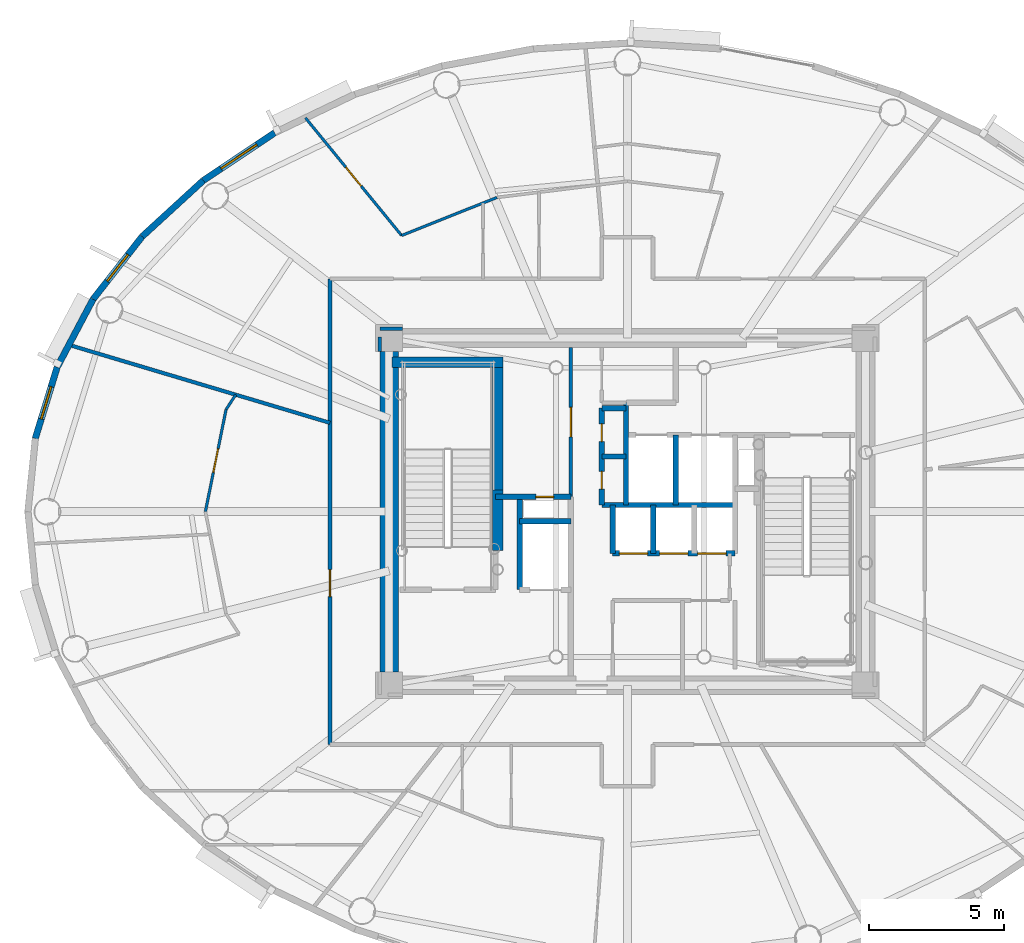
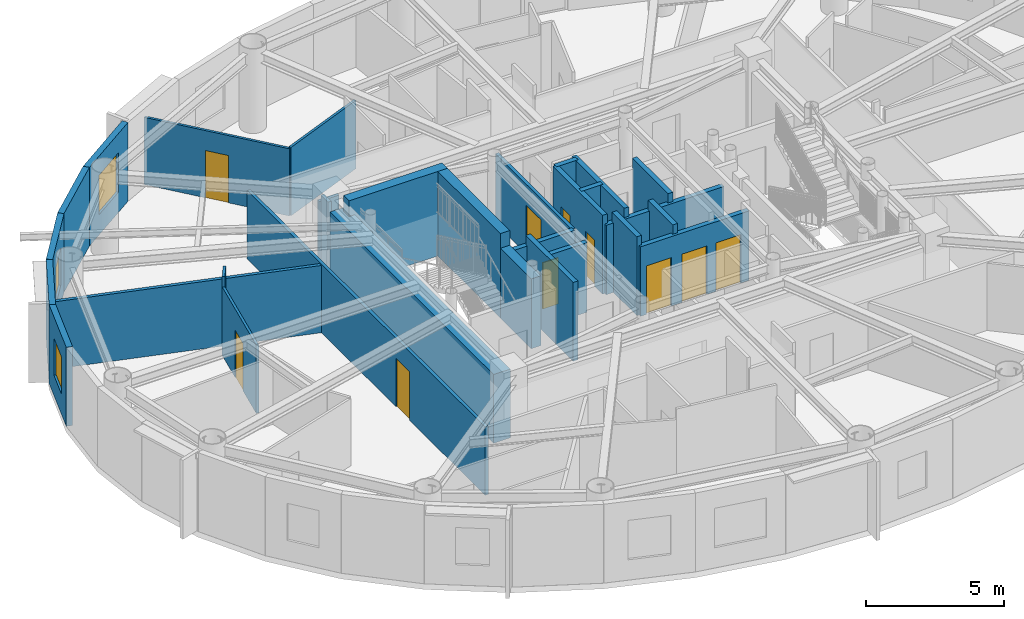
# One storey, part 7 of 17: 30 walls, 10 doors, 3 windows, 13 openings.
"""IFC4 building model written with IfcOpenShell, lengths in metres."""

from ifc_helpers import new_model, si_unit, direction, frame, frame_2d, origin, origin_2d, place, context, subcontext, project, spatial, rectangle, extrude, source, transform, mapped, material, layer, layer_set, type_object, element, fill, save


model = new_model("IFC4")

# Units and contexts
model_context = context("Model", 3, precision=1e-05, world=origin(), true_north=direction((0.0, 1.0)))
body_context = subcontext(model_context, "Body", "Model", "MODEL_VIEW")
ifc_project = project(units=[si_unit("LENGTHUNIT", "METRE"), si_unit("AREAUNIT", "SQUARE_METRE"), si_unit("VOLUMEUNIT", "CUBIC_METRE"), si_unit("PLANEANGLEUNIT", "RADIAN"), si_unit("MASSUNIT", "GRAM", prefix="KILO")], contexts=[model_context])

# Site, building, storey
site_placement = place(None, origin())
site = spatial("IfcSite", under=ifc_project, at=site_placement, CompositionType="ELEMENT")
building_placement = place(site_placement, origin())
building = spatial("IfcBuilding", under=site, at=building_placement, Name="Linh Dai School and Residence Tower", CompositionType="ELEMENT")
storey_placement = place(building_placement, frame((0.0, 0.0, 280.5)))
storey = spatial("IfcBuildingStorey", under=building, at=storey_placement, Name="L69", CompositionType="ELEMENT", Elevation=280.5)

# Wall, opening, window
ifc_material_1 = material(Name="Precast Concrete B45 (C35/45)", Category="concrete")
ifc_layer_1 = layer(ifc_material_1, 0.239990234375)
ifc_layer_set_1 = layer_set([ifc_layer_1], Name="Precast Concrete B45 (C35/45)")
wall_type_1 = type_object("IfcWallType", Name="EW-TC-240", PredefinedType="SOLIDWALL", material=ifc_layer_set_1)
wall_1_placement = place(storey_placement, frame((20.23779296875, 39.30419921875, 0.0), z_axis=(0.0, 0.0, 1.0), x_axis=(0.831250592635, 0.55589787933, 0.0)))
wall_1 = element("IfcWall", 1, at=wall_1_placement, inside=storey, type_object=wall_type_1, Name="L69 Terracotta Exterior Wall 15", PredefinedType="SOLIDWALL", context=body_context, shape_type="SweptSolid", body=[
    extrude(rectangle(XDim=3.197265625, YDim=0.239990234375, at=frame_2d((1.5986328125, 0.0))), origin(), (0.0, 0.0, 1.0), 3.5),
])
opening_1_placement = place(wall_1_placement, frame((0.798583984375, 0.0, 0.89990234375)))
opening_1 = element("IfcOpeningElement", 2, at=opening_1_placement, cuts=wall_1, Name="Opening W2", PredefinedType="OPENING", context=body_context, shape_type="SweptSolid", body=[
    extrude(rectangle(XDim=1.60009765625, YDim=1.75, at=origin_2d()), frame((0.800048828125, 0.1298828125, 0.875), z_axis=(0.0, -1.0, 0.0), x_axis=(1.0, 0.0, 0.0)), (0.0, 0.0, 1.0), 0.260009765625),
])
ifc_material_2 = material(Name="Double Low-E Insulated Glazing", Category="glass")
window_type_1 = type_object("IfcWindowType", Name="WN-RES-1600x1750", PartitioningType="DOUBLE_PANEL_VERTICAL", PredefinedType="WINDOW", material=ifc_material_2)
shared_shape_1 = source(origin(), body_context, "Body", "SweptSolid", [
    extrude(rectangle(XDim=1.60009765625, YDim=1.75, at=origin_2d()), frame((0.800048828125, 0.030029296875, 0.875), z_axis=(0.0, -1.0, 0.0), x_axis=(1.0, 0.0, 0.0)), (0.0, 0.0, 1.0), 0.06005859375),
])
window_1_placement = place(opening_1_placement, origin())
window_1 = element("IfcWindow", 3, at=window_1_placement, inside=storey, type_object=window_type_1, Name="L69 Exterior Window 15.1", OverallHeight=1.75, OverallWidth=1.60009765625, PartitioningType="DOUBLE_PANEL_VERTICAL", PredefinedType="WINDOW", context=body_context, shape_type="MappedRepresentation", body=[
    mapped(shared_shape_1, transform((0.0, 0.0, 0.0), x_axis=(1.0, 0.0, 0.0), y_axis=(0.0, 1.0, 0.0), z_axis=(0.0, 0.0, 1.0), scale=1.0)),
])
fill(opening_1, window_1)

# Wall
wall_2_placement = place(storey_placement, frame((17.9697265625, 37.224609375, 0.0), z_axis=(0.0, 0.0, 1.0), x_axis=(0.737068506972, 0.675818034703, 0.0)))
element("IfcWall", 4, at=wall_2_placement, inside=storey, type_object=wall_type_1, Name="L69 Terracotta Exterior Wall 16", PredefinedType="SOLIDWALL", context=body_context, shape_type="SweptSolid", body=[
    extrude(rectangle(XDim=3.0771484375, YDim=0.239990234375, at=frame_2d((1.53857421875, 0.0))), origin(), (0.0, 0.0, 1.0), 3.5),
])

# Wall, opening, window
wall_3_placement = place(storey_placement, frame((16.146240234375, 34.894775390625, 0.0), z_axis=(0.0, 0.0, 1.0), x_axis=(0.616337186556, 0.787482363275, 0.0)))
wall_3 = element("IfcWall", 5, at=wall_3_placement, inside=storey, type_object=wall_type_1, Name="L69 Terracotta Exterior Wall 17", PredefinedType="SOLIDWALL", context=body_context, shape_type="SweptSolid", body=[
    extrude(rectangle(XDim=2.95849609375, YDim=0.239990234375, at=frame_2d((1.479248046875, 0.0))), origin(), (0.0, 0.0, 1.0), 3.5),
])
opening_2_placement = place(wall_3_placement, frame((0.8544921875, 0.0, 0.89990234375)))
opening_2 = element("IfcOpeningElement", 6, at=opening_2_placement, cuts=wall_3, Name="Opening W3", PredefinedType="OPENING", context=body_context, shape_type="SweptSolid", body=[
    extrude(rectangle(XDim=1.25, YDim=1.64990234375, at=origin_2d()), frame((0.625, 0.1298828125, 0.824951171875), z_axis=(0.0, -1.0, 0.0), x_axis=(1.0, 0.0, 0.0)), (0.0, 0.0, 1.0), 0.260009765625),
])
window_type_2 = type_object("IfcWindowType", Name="WN-RES-1250x1650", PartitioningType="SINGLE_PANEL", PredefinedType="WINDOW", material=ifc_material_2)
shared_shape_2 = source(origin(), body_context, "Body", "SweptSolid", [
    extrude(rectangle(XDim=1.25, YDim=1.64990234375, at=origin_2d()), frame((0.625, 0.030029296875, 0.824951171875), z_axis=(0.0, -1.0, 0.0), x_axis=(1.0, 0.0, 0.0)), (0.0, 0.0, 1.0), 0.06005859375),
])
window_2_placement = place(opening_2_placement, origin())
window_2 = element("IfcWindow", 7, at=window_2_placement, inside=storey, type_object=window_type_2, Name="L69 Exterior Window 17.1", OverallHeight=1.64990234375, OverallWidth=1.25, PartitioningType="SINGLE_PANEL", PredefinedType="WINDOW", context=body_context, shape_type="MappedRepresentation", body=[
    mapped(shared_shape_2, transform((0.0, 0.0, 0.0), x_axis=(1.0, 0.0, 0.0), y_axis=(0.0, 1.0, 0.0), z_axis=(0.0, 0.0, 1.0), scale=1.0)),
])
fill(opening_2, window_2)

# Wall
wall_4_placement = place(storey_placement, frame((14.811767578125, 32.372314453125, 0.0), z_axis=(0.0, 0.0, 1.0), x_axis=(0.467628269026, 0.883925224218, 0.0)))
element("IfcWall", 8, at=wall_4_placement, inside=storey, type_object=wall_type_1, Name="L69 Terracotta Exterior Wall 18", PredefinedType="SOLIDWALL", context=body_context, shape_type="SweptSolid", body=[
    extrude(rectangle(XDim=2.853759765625, YDim=0.239990234375, at=frame_2d((1.4267578125, 0.0))), origin(), (0.0, 0.0, 1.0), 3.5),
])

# Wall, opening, window
wall_5_placement = place(storey_placement, frame((13.998291015625, 29.718994140625, 0.0), z_axis=(0.0, 0.0, 1.0), x_axis=(0.2931213403, 0.956075248012, 0.0)))
wall_5 = element("IfcWall", 9, at=wall_5_placement, inside=storey, type_object=wall_type_1, Name="L69 Terracotta Exterior Wall 19", PredefinedType="SOLIDWALL", context=body_context, shape_type="SweptSolid", body=[
    extrude(rectangle(XDim=2.775146484375, YDim=0.239990234375, at=frame_2d((1.3876953125, 0.0))), origin(), (0.0, 0.0, 1.0), 3.5),
])
opening_3_placement = place(wall_5_placement, frame((0.7626953125, 0.0, 0.89990234375)))
opening_3 = element("IfcOpeningElement", 10, at=opening_3_placement, cuts=wall_5, Name="Opening W3", PredefinedType="OPENING", context=body_context, shape_type="SweptSolid", body=[
    extrude(rectangle(XDim=1.25, YDim=1.64990234375, at=origin_2d()), frame((0.625, 0.1298828125, 0.824951171875), z_axis=(0.0, -1.0, 0.0), x_axis=(1.0, 0.0, 0.0)), (0.0, 0.0, 1.0), 0.260009765625),
])
window_3_placement = place(opening_3_placement, origin())
window_3 = element("IfcWindow", 11, at=window_3_placement, inside=storey, type_object=window_type_2, Name="L69 Exterior Window 19.1", OverallHeight=1.64990234375, OverallWidth=1.25, PartitioningType="SINGLE_PANEL", PredefinedType="WINDOW", context=body_context, shape_type="MappedRepresentation", body=[
    mapped(shared_shape_2, transform((0.0, 0.0, 0.0), x_axis=(1.0, 0.0, 0.0), y_axis=(0.0, 1.0, 0.0), z_axis=(0.0, 0.0, 1.0), scale=1.0)),
])
fill(opening_3, window_3)

# Wall
ifc_material_3 = material(Name="Autoclaved Aerated Concrete Blockwork", Category="masonry")
ifc_layer_2 = layer(ifc_material_3, 0.135009765625)
ifc_layer_set_2 = layer_set([ifc_layer_2], Name="Autoclaved Aerated Concrete Blockwork")
wall_type_2 = type_object("IfcWallType", Name="IW-CORR-135-EI90", PredefinedType="PARTITIONING", material=ifc_layer_set_2)
wall_6_placement = place(storey_placement, frame((15.244140625, 33.199951171875, 0.0), z_axis=(0.0, 0.0, 1.0), x_axis=(0.958167234785, -0.286208927508, 0.0)))
element("IfcWall", 12, at=wall_6_placement, inside=storey, type_object=wall_type_2, Name="L69 Interior Partition Wall 002", PredefinedType="PARTITIONING", context=body_context, shape_type="SweptSolid", body=[
    extrude(rectangle(XDim=10.129638671875, YDim=0.135009765625, at=frame_2d((5.06494140625, 0.0))), origin(), (0.0, 0.0, 1.0), 2.985107421875),
])

# Wall, opening, door
wall_7_placement = place(storey_placement, frame((24.949951171875, 18.35009765625, 0.0), z_axis=(0.0, 0.0, 1.0), x_axis=(0.0, 1.0, 0.0)))
wall_7 = element("IfcWall", 13, at=wall_7_placement, inside=storey, type_object=wall_type_2, Name="L69 Interior Partition Wall 013", PredefinedType="PARTITIONING", context=body_context, shape_type="SweptSolid", body=[
    extrude(rectangle(XDim=17.2998046875, YDim=0.135009765625, at=frame_2d((8.64990234375, 0.0))), origin(), (0.0, 0.0, 1.0), 3.034912109375),
])
opening_4_placement = place(wall_7_placement, frame((5.495361328125, 0.0, 0.0)))
opening_4 = element("IfcOpeningElement", 14, at=opening_4_placement, cuts=wall_7, Name="Opening D03", PredefinedType="OPENING", context=body_context, shape_type="SweptSolid", body=[
    extrude(rectangle(XDim=1.0, YDim=2.14990234375, at=origin_2d()), frame((0.5, 0.07763671875, 1.074951171875), z_axis=(0.0, -1.0, 0.0), x_axis=(1.0, 0.0, 0.0)), (0.0, 0.0, 1.0), 0.155029296875),
])
ifc_material_4 = material(Name="Fire-Rated Solid Timber Entrance Door", Category="wood")
door_type_1 = type_object("IfcDoorType", Name="DR-FLAT-1000x2150-FD60S", OperationType="NOTDEFINED", PredefinedType="DOOR", material=ifc_material_4)
shared_shape_3 = source(origin(), body_context, "Body", "SweptSolid", [
    extrude(rectangle(XDim=1.0, YDim=2.14990234375, at=origin_2d()), frame((0.5, 0.02490234375, 1.074951171875), z_axis=(0.0, -1.0, 0.0), x_axis=(1.0, 0.0, 0.0)), (0.0, 0.0, 1.0), 0.050048828125),
])
door_1_placement = place(opening_4_placement, origin())
door_1 = element("IfcDoor", 15, at=door_1_placement, inside=storey, type_object=door_type_1, Name="L69 U6904 Apartment Entrance Door", OperationType="SINGLE_SWING_LEFT", OverallHeight=2.14990234375, OverallWidth=1.0, PredefinedType="DOOR", context=body_context, shape_type="MappedRepresentation", body=[
    mapped(shared_shape_3, transform((0.0, 0.0, 0.0), x_axis=(1.0, 0.0, 0.0), y_axis=(0.0, 1.0, 0.0), z_axis=(0.0, 0.0, 1.0), scale=1.0)),
])
fill(opening_4, door_1)

wall_8_placement = place(storey_placement, frame((33.89990234375, 27.56005859375, 0.0), z_axis=(0.0, 0.0, 1.0), x_axis=(0.0, 1.0, 0.0)))
wall_8 = element("IfcWall", 16, at=wall_8_placement, inside=storey, type_object=wall_type_2, Name="L69 Interior Partition Wall 031", PredefinedType="PARTITIONING", context=body_context, shape_type="SweptSolid", body=[
    extrude(rectangle(XDim=5.5400390625, YDim=0.135009765625, at=frame_2d((2.77001953125, 0.0))), origin(), (0.0, 0.0, 1.0), 3.0849609375),
])
opening_5_placement = place(wall_8_placement, frame((2.219970703125, 0.0, 0.0)))
opening_5 = element("IfcOpeningElement", 17, at=opening_5_placement, cuts=wall_8, Name="Opening D07", PredefinedType="OPENING", context=body_context, shape_type="SweptSolid", body=[
    extrude(rectangle(XDim=1.10009765625, YDim=2.14990234375, at=origin_2d()), frame((0.550048828125, 0.07763671875, 1.074951171875), z_axis=(0.0, -1.0, 0.0), x_axis=(1.0, 0.0, 0.0)), (0.0, 0.0, 1.0), 0.155029296875),
])
ifc_material_5 = material(Name="Fire-Rated Louvred Steel Plant Door", Category="steel")
door_type_2 = type_object("IfcDoorType", Name="DR-PLT-1100x2150-FD60S", OperationType="NOTDEFINED", PredefinedType="DOOR", material=ifc_material_5)
shared_shape_4 = source(origin(), body_context, "Body", "SweptSolid", [
    extrude(rectangle(XDim=1.10009765625, YDim=2.14990234375, at=origin_2d()), frame((0.550048828125, 0.02490234375, 1.074951171875), z_axis=(0.0, -1.0, 0.0), x_axis=(1.0, 0.0, 0.0)), (0.0, 0.0, 1.0), 0.050048828125),
])
door_2_placement = place(opening_5_placement, origin())
door_2 = element("IfcDoor", 18, at=door_2_placement, inside=storey, type_object=door_type_2, Name="L69 High-Zone Housekeeping Suite Door", OperationType="SINGLE_SWING_LEFT", OverallHeight=2.14990234375, OverallWidth=1.10009765625, PredefinedType="DOOR", context=body_context, shape_type="MappedRepresentation", body=[
    mapped(shared_shape_4, transform((0.0, 0.0, 0.0), x_axis=(1.0, 0.0, 0.0), y_axis=(0.0, 1.0, 0.0), z_axis=(0.0, 0.0, 1.0), scale=1.0)),
])
fill(opening_5, door_2)

# Walls
wall_9_placement = place(storey_placement, frame((27.639892578125, 33.800048828125, 0.0), z_axis=(0.0, 0.0, 1.0), x_axis=(-1.0, 0.0, 0.0)))
element("IfcWall", 19, at=wall_9_placement, inside=storey, type_object=wall_type_2, Name="L69 Interior Partition Wall 091", PredefinedType="PARTITIONING", context=body_context, shape_type="SweptSolid", body=[
    extrude(rectangle(XDim=0.83984375, YDim=0.135009765625, at=frame_2d((0.419921875, 0.0))), origin(), (0.0, 0.0, 1.0), 3.034912109375),
])
wall_10_placement = place(storey_placement, frame((26.800048828125, 33.492431640625, 0.0), z_axis=(0.0, 0.0, 1.0), x_axis=(0.0, -1.0, 0.0)))
element("IfcWall", 20, at=wall_10_placement, inside=storey, type_object=wall_type_2, Name="L69 Interior Partition Wall 092", PredefinedType="PARTITIONING", context=body_context, shape_type="SweptSolid", body=[
    extrude(rectangle(XDim=0.532470703125, YDim=0.135009765625, at=frame_2d((0.26611328125, 0.0))), origin(), (0.0, 0.0, 1.0), 3.5),
])

# Wall, opening, door
ifc_material_6 = material(Name="Concrete B45 (C35/45)", Category="concrete")
ifc_layer_3 = layer(ifc_material_6, 0.199951171875)
ifc_layer_set_3 = layer_set([ifc_layer_3], Name="Concrete B45 (C35/45)")
wall_type_3 = type_object("IfcWallType", Name="IW-SHAFT-200-EI120", PredefinedType="PARTITIONING", material=ifc_layer_set_3)
wall_11_placement = place(storey_placement, frame((31.10009765625, 27.550048828125, 0.0), z_axis=(0.0, 0.0, 1.0), x_axis=(1.0, 0.0, 0.0)))
wall_11 = element("IfcWall", 21, at=wall_11_placement, inside=storey, type_object=wall_type_3, Name="L69 Interior Partition Wall 022", PredefinedType="PARTITIONING", context=body_context, shape_type="SweptSolid", body=[
    extrude(rectangle(XDim=2.7998046875, YDim=0.199951171875, at=frame_2d((1.39990234375, 0.0))), origin(), (0.0, 0.0, 1.0), 3.0849609375),
])
opening_6_placement = place(wall_11_placement, frame((1.5, 0.0, 0.0)))
opening_6 = element("IfcOpeningElement", 22, at=opening_6_placement, cuts=wall_11, Name="Opening AD1", PredefinedType="OPENING", context=body_context, shape_type="SweptSolid", body=[
    extrude(rectangle(XDim=0.659912109375, YDim=2.050048828125, at=origin_2d()), frame((0.330078125, 0.10986328125, 1.02490234375), z_axis=(0.0, -1.0, 0.0), x_axis=(1.0, 0.0, 0.0)), (0.0, 0.0, 1.0), 0.219970703125),
])
ifc_material_7 = material(Name="Fire-Rated Steel Riser Access Door", Category="steel")
door_type_3 = type_object("IfcDoorType", Name="DR-ACC-660x2050-FD90S", OperationType="NOTDEFINED", PredefinedType="USERDEFINED", material=ifc_material_7)
shared_shape_5 = source(origin(), body_context, "Body", "SweptSolid", [
    extrude(rectangle(XDim=0.659912109375, YDim=2.050048828125, at=origin_2d()), frame((0.330078125, 0.02490234375, 1.02490234375), z_axis=(0.0, -1.0, 0.0), x_axis=(1.0, 0.0, 0.0)), (0.0, 0.0, 1.0), 0.050048828125),
])
door_3_placement = place(opening_6_placement, origin())
door_3 = element("IfcDoor", 23, at=door_3_placement, inside=storey, type_object=door_type_3, Name="L69 Main Electrical Riser Access Door", ObjectType="ACCESS DOOR", OperationType="SINGLE_SWING_RIGHT", OverallHeight=2.050048828125, OverallWidth=0.659912109375, PredefinedType="USERDEFINED", context=body_context, shape_type="MappedRepresentation", body=[
    mapped(shared_shape_5, transform((0.0, 0.0, 0.0), x_axis=(1.0, 0.0, 0.0), y_axis=(0.0, 1.0, 0.0), z_axis=(0.0, 0.0, 1.0), scale=1.0)),
])
fill(opening_6, door_3)

# Walls
wall_12_placement = place(storey_placement, frame((32.0, 24.10009765625, 0.0), z_axis=(0.0, 0.0, 1.0), x_axis=(0.0, 1.0, 0.0)))
element("IfcWall", 24, at=wall_12_placement, inside=storey, type_object=wall_type_3, Name="L69 Interior Partition Wall 026", PredefinedType="PARTITIONING", context=body_context, shape_type="SweptSolid", body=[
    extrude(rectangle(XDim=3.449951171875, YDim=0.199951171875, at=frame_2d((1.72509765625, 0.0))), origin(), (0.0, 0.0, 1.0), 3.5),
])
wall_13_placement = place(storey_placement, frame((32.0, 26.64990234375, 0.0), z_axis=(0.0, 0.0, 1.0), x_axis=(1.0, 0.0, 0.0)))
element("IfcWall", 25, at=wall_13_placement, inside=storey, type_object=wall_type_3, Name="L69 Interior Partition Wall 028", PredefinedType="PARTITIONING", context=body_context, shape_type="SweptSolid", body=[
    extrude(rectangle(XDim=1.89990234375, YDim=0.199951171875, at=frame_2d((0.949951171875, 0.0))), origin(), (0.0, 0.0, 1.0), 3.0849609375),
])

# Wall, openings, doors
wall_14_placement = place(storey_placement, frame((35.050048828125, 27.25, 0.0), z_axis=(0.0, 0.0, 1.0), x_axis=(0.0, 1.0, 0.0)))
wall_14 = element("IfcWall", 26, at=wall_14_placement, inside=storey, type_object=wall_type_3, Name="L69 Interior Partition Wall 037", PredefinedType="PARTITIONING", context=body_context, shape_type="SweptSolid", body=[
    extrude(rectangle(XDim=3.60009765625, YDim=0.199951171875, at=frame_2d((1.800048828125, 0.0))), origin(), (0.0, 0.0, 1.0), 3.5),
])
opening_7_placement = place(wall_14_placement, frame((0.590087890625, 0.0, 0.0)))
opening_7 = element("IfcOpeningElement", 27, at=opening_7_placement, cuts=wall_14, Name="Opening AD1", PredefinedType="OPENING", context=body_context, shape_type="SweptSolid", body=[
    extrude(rectangle(XDim=0.659912109375, YDim=2.050048828125, at=origin_2d()), frame((0.330078125, 0.10986328125, 1.02490234375), z_axis=(0.0, -1.0, 0.0), x_axis=(1.0, 0.0, 0.0)), (0.0, 0.0, 1.0), 0.219970703125),
])
opening_8_placement = place(wall_14_placement, frame((2.35009765625, 0.0, 0.0)))
opening_8 = element("IfcOpeningElement", 28, at=opening_8_placement, cuts=wall_14, Name="Opening AD1", PredefinedType="OPENING", context=body_context, shape_type="SweptSolid", body=[
    extrude(rectangle(XDim=0.659912109375, YDim=2.050048828125, at=origin_2d()), frame((0.330078125, 0.10986328125, 1.02490234375), z_axis=(0.0, -1.0, 0.0), x_axis=(1.0, 0.0, 0.0)), (0.0, 0.0, 1.0), 0.219970703125),
])
door_4_placement = place(opening_7_placement, origin())
door_4 = element("IfcDoor", 29, at=door_4_placement, inside=storey, type_object=door_type_3, Name="L69 Telecom and Data Riser Access Door", ObjectType="ACCESS DOOR", OperationType="SINGLE_SWING_LEFT", OverallHeight=2.050048828125, OverallWidth=0.659912109375, PredefinedType="USERDEFINED", context=body_context, shape_type="MappedRepresentation", body=[
    mapped(shared_shape_5, transform((0.0, 0.0, 0.0), x_axis=(1.0, 0.0, 0.0), y_axis=(0.0, 1.0, 0.0), z_axis=(0.0, 0.0, 1.0), scale=1.0)),
])
fill(opening_7, door_4)
door_5_placement = place(opening_8_placement, origin())
door_5 = element("IfcDoor", 30, at=door_5_placement, inside=storey, type_object=door_type_3, Name="L69 Mechanical and Plumbing Riser Access Door", ObjectType="ACCESS DOOR", OperationType="SINGLE_SWING_RIGHT", OverallHeight=2.050048828125, OverallWidth=0.659912109375, PredefinedType="USERDEFINED", context=body_context, shape_type="MappedRepresentation", body=[
    mapped(shared_shape_5, transform((0.0, 0.0, 0.0), x_axis=(1.0, 0.0, 0.0), y_axis=(0.0, 1.0, 0.0), z_axis=(0.0, 0.0, 1.0), scale=1.0)),
])
fill(opening_8, door_5)

# Walls
wall_15_placement = place(storey_placement, frame((35.050048828125, 27.25, 0.0), z_axis=(0.0, 0.0, 1.0), x_axis=(1.0, 0.0, 0.0)))
element("IfcWall", 31, at=wall_15_placement, inside=storey, type_object=wall_type_3, Name="L69 Interior Partition Wall 038", PredefinedType="PARTITIONING", context=body_context, shape_type="SweptSolid", body=[
    extrude(rectangle(XDim=4.949951171875, YDim=0.199951171875, at=frame_2d((2.47509765625, 0.0))), origin(), (0.0, 0.0, 1.0), 3.0849609375),
])
for number, where, z_axis, x_axis, name in (
    (32, (35.050048828125, 29.050048828125, 0.0), (0.0, 0.0, 1.0), (1.0, 0.0, 0.0), "L69 Interior Partition Wall 039"),
    (33, (35.050048828125, 30.85009765625, 0.0), (0.0, 0.0, 1.0), (1.0, 0.0, 0.0), "L69 Interior Partition Wall 040"),
):
    element("IfcWall", number, at=place(storey_placement, frame(where, z_axis=z_axis, x_axis=x_axis)), inside=storey, type_object=wall_type_3, Name=name, PredefinedType="PARTITIONING", context=body_context, shape_type="SweptSolid", body=[
        extrude(rectangle(XDim=0.89990234375, YDim=0.199951171875, at=frame_2d((0.449951171875, 0.0))), origin(), (0.0, 0.0, 1.0), 3.5),
    ])
wall_16_placement = place(storey_placement, frame((35.449951171875, 25.449951171875, 0.0), z_axis=(0.0, 0.0, 1.0), x_axis=(0.0, 1.0, 0.0)))
element("IfcWall", 34, at=wall_16_placement, inside=storey, type_object=wall_type_3, Name="L69 Interior Partition Wall 047", PredefinedType="PARTITIONING", context=body_context, shape_type="SweptSolid", body=[
    extrude(rectangle(XDim=1.800048828125, YDim=0.199951171875, at=frame_2d((0.89990234375, 0.0))), origin(), (0.0, 0.0, 1.0), 3.5),
])

# Wall, openings, doors
wall_17_placement = place(storey_placement, frame((35.449951171875, 25.449951171875, 0.0), z_axis=(0.0, 0.0, 1.0), x_axis=(1.0, 0.0, 0.0)))
wall_17 = element("IfcWall", 35, at=wall_17_placement, inside=storey, type_object=wall_type_3, Name="L69 Interior Partition Wall 048", PredefinedType="PARTITIONING", context=body_context, shape_type="SweptSolid", body=[
    extrude(rectangle(XDim=4.550048828125, YDim=0.199951171875, at=frame_2d((2.27490234375, 0.0))), origin(), (0.0, 0.0, 1.0), 3.0849609375),
])
opening_9_placement = place(wall_17_placement, frame((0.25, 0.0, 0.0)))
opening_9 = element("IfcOpeningElement", 36, at=opening_9_placement, cuts=wall_17, Name="Opening LD-PL7", PredefinedType="OPENING", context=body_context, shape_type="SweptSolid", body=[
    extrude(rectangle(XDim=1.050048828125, YDim=2.14990234375, at=origin_2d()), frame((0.52490234375, 0.10986328125, 1.074951171875), z_axis=(0.0, -1.0, 0.0), x_axis=(1.0, 0.0, 0.0)), (0.0, 0.0, 1.0), 0.219970703125),
])
opening_10_placement = place(wall_17_placement, frame((1.7451171875, 0.0, 0.0)))
opening_10 = element("IfcOpeningElement", 37, at=opening_10_placement, cuts=wall_17, Name="Opening LD-PL8", PredefinedType="OPENING", context=body_context, shape_type="SweptSolid", body=[
    extrude(rectangle(XDim=1.050048828125, YDim=2.14990234375, at=origin_2d()), frame((0.52490234375, 0.10986328125, 1.074951171875), z_axis=(0.0, -1.0, 0.0), x_axis=(1.0, 0.0, 0.0)), (0.0, 0.0, 1.0), 0.219970703125),
])
opening_11_placement = place(wall_17_placement, frame((3.1650390625, 0.0, 0.0)))
opening_11 = element("IfcOpeningElement", 38, at=opening_11_placement, cuts=wall_17, Name="Opening LD-PL9", PredefinedType="OPENING", context=body_context, shape_type="SweptSolid", body=[
    extrude(rectangle(XDim=1.050048828125, YDim=2.14990234375, at=origin_2d()), frame((0.52490234375, 0.10986328125, 1.074951171875), z_axis=(0.0, -1.0, 0.0), x_axis=(1.0, 0.0, 0.0)), (0.0, 0.0, 1.0), 0.219970703125),
])
ifc_material_8 = material(Name="Brushed Stainless Steel Lift Landing Door", Category="steel")
door_type_4 = type_object("IfcDoorType", Name="DR-LD-PASS-1050x2150", OperationType="DOUBLE_DOOR_SLIDING", PredefinedType="USERDEFINED", material=ifc_material_8)
shared_shape_6 = source(origin(), body_context, "Body", "SweptSolid", [
    extrude(rectangle(XDim=1.050048828125, YDim=2.14990234375, at=origin_2d()), frame((0.52490234375, 0.02490234375, 1.074951171875), z_axis=(0.0, -1.0, 0.0), x_axis=(1.0, 0.0, 0.0)), (0.0, 0.0, 1.0), 0.050048828125),
])
door_6_placement = place(opening_9_placement, origin())
door_6 = element("IfcDoor", 39, at=door_6_placement, inside=storey, type_object=door_type_4, Name="L69 Lift PL7 Sliding Landing Door", ObjectType="LANDING DOOR", OperationType="DOUBLE_DOOR_SLIDING", OverallHeight=2.14990234375, OverallWidth=1.050048828125, PredefinedType="USERDEFINED", context=body_context, shape_type="MappedRepresentation", body=[
    mapped(shared_shape_6, transform((0.0, 0.0, 0.0), x_axis=(1.0, 0.0, 0.0), y_axis=(0.0, 1.0, 0.0), z_axis=(0.0, 0.0, 1.0), scale=1.0)),
])
fill(opening_9, door_6)
door_7_placement = place(opening_10_placement, origin())
door_7 = element("IfcDoor", 40, at=door_7_placement, inside=storey, type_object=door_type_4, Name="L69 Lift PL8 Sliding Landing Door", ObjectType="LANDING DOOR", OperationType="DOUBLE_DOOR_SLIDING", OverallHeight=2.14990234375, OverallWidth=1.050048828125, PredefinedType="USERDEFINED", context=body_context, shape_type="MappedRepresentation", body=[
    mapped(shared_shape_6, transform((0.0, 0.0, 0.0), x_axis=(1.0, 0.0, 0.0), y_axis=(0.0, 1.0, 0.0), z_axis=(0.0, 0.0, 1.0), scale=1.0)),
])
fill(opening_10, door_7)
door_8_placement = place(opening_11_placement, origin())
door_8 = element("IfcDoor", 41, at=door_8_placement, inside=storey, type_object=door_type_4, Name="L69 Lift PL9 Sliding Landing Door", ObjectType="LANDING DOOR", OperationType="DOUBLE_DOOR_SLIDING", OverallHeight=2.14990234375, OverallWidth=1.050048828125, PredefinedType="USERDEFINED", context=body_context, shape_type="MappedRepresentation", body=[
    mapped(shared_shape_6, transform((0.0, 0.0, 0.0), x_axis=(1.0, 0.0, 0.0), y_axis=(0.0, 1.0, 0.0), z_axis=(0.0, 0.0, 1.0), scale=1.0)),
])
fill(opening_11, door_8)

# Walls
wall_18_placement = place(storey_placement, frame((35.949951171875, 27.25, 0.0), z_axis=(0.0, 0.0, 1.0), x_axis=(0.0, 1.0, 0.0)))
element("IfcWall", 42, at=wall_18_placement, inside=storey, type_object=wall_type_3, Name="L69 Interior Partition Wall 049", PredefinedType="PARTITIONING", context=body_context, shape_type="SweptSolid", body=[
    extrude(rectangle(XDim=3.800048828125, YDim=0.199951171875, at=frame_2d((1.89990234375, 0.0))), origin(), (0.0, 0.0, 1.0), 3.5),
])
wall_19_placement = place(storey_placement, frame((36.9599609375, 25.449951171875, 0.0), z_axis=(0.0, 0.0, 1.0), x_axis=(0.0, 1.0, 0.0)))
element("IfcWall", 43, at=wall_19_placement, inside=storey, type_object=wall_type_3, Name="L69 Interior Partition Wall 058", PredefinedType="PARTITIONING", context=body_context, shape_type="SweptSolid", body=[
    extrude(rectangle(XDim=1.800048828125, YDim=0.199951171875, at=frame_2d((0.89990234375, 0.0))), origin(), (0.0, 0.0, 1.0), 3.5),
])
wall_20_placement = place(storey_placement, frame((37.800048828125, 27.25, 0.0), z_axis=(0.0, 0.0, 1.0), x_axis=(0.0, 1.0, 0.0)))
element("IfcWall", 44, at=wall_20_placement, inside=storey, type_object=wall_type_3, Name="L69 Interior Partition Wall 059", PredefinedType="PARTITIONING", context=body_context, shape_type="SweptSolid", body=[
    extrude(rectangle(XDim=2.60009765625, YDim=0.199951171875, at=frame_2d((1.300048828125, 0.0))), origin(), (0.0, 0.0, 1.0), 3.5),
])

# Wall, opening, door
ifc_material_9 = material(Name="Gypsum Plasterboard Acoustic Stud Partition", Category="masonry")
ifc_layer_4 = layer(ifc_material_9, 0.10009765625)
ifc_layer_set_4 = layer_set([ifc_layer_4], Name="Gypsum Plasterboard Acoustic Stud Partition")
wall_type_4 = type_object("IfcWallType", Name="IW-UNIT-100", PredefinedType="PARTITIONING", material=ifc_layer_set_4)
wall_21_placement = place(storey_placement, frame((20.320068359375, 27.0, 0.0), z_axis=(0.0, 0.0, 1.0), x_axis=(0.198226068862, 0.980156327135, 0.0)))
wall_21 = element("IfcWall", 45, at=wall_21_placement, inside=storey, type_object=wall_type_4, Name="L69 Interior Partition Wall 006", PredefinedType="PARTITIONING", context=body_context, shape_type="SweptSolid", body=[
    extrude(rectangle(XDim=3.87109375, YDim=0.10009765625, at=frame_2d((1.935546875, 0.0))), origin(), (0.0, 0.0, 1.0), 3.034912109375),
])
opening_12_placement = place(wall_21_placement, frame((1.485595703125, 0.0, 0.0)))
opening_12 = element("IfcOpeningElement", 46, at=opening_12_placement, cuts=wall_21, Name="Opening D05", PredefinedType="OPENING", context=body_context, shape_type="SweptSolid", body=[
    extrude(rectangle(XDim=0.89990234375, YDim=2.10009765625, at=origin_2d()), frame((0.449951171875, 0.06005859375, 1.050048828125), z_axis=(0.0, -1.0, 0.0), x_axis=(1.0, 0.0, 0.0)), (0.0, 0.0, 1.0), 0.1201171875),
])
ifc_material_10 = material(Name="Engineered Timber Internal Door", Category="wood")
door_type_5 = type_object("IfcDoorType", Name="DR-INT-900x2100", OperationType="NOTDEFINED", PredefinedType="DOOR", material=ifc_material_10)
shared_shape_7 = source(origin(), body_context, "Body", "SweptSolid", [
    extrude(rectangle(XDim=0.89990234375, YDim=2.10009765625, at=origin_2d()), frame((0.449951171875, 0.02490234375, 1.050048828125), z_axis=(0.0, -1.0, 0.0), x_axis=(1.0, 0.0, 0.0)), (0.0, 0.0, 1.0), 0.050048828125),
])
door_9_placement = place(opening_12_placement, origin())
door_9 = element("IfcDoor", 47, at=door_9_placement, inside=storey, type_object=door_type_5, Name="L69 Apartment U6904 Principal Bedroom 1 Door", OperationType="SINGLE_SWING_RIGHT", OverallHeight=2.10009765625, OverallWidth=0.89990234375, PredefinedType="DOOR", context=body_context, shape_type="MappedRepresentation", body=[
    mapped(shared_shape_7, transform((0.0, 0.0, 0.0), x_axis=(1.0, 0.0, 0.0), y_axis=(0.0, 1.0, 0.0), z_axis=(0.0, 0.0, 1.0), scale=1.0)),
])
fill(opening_12, door_9)

# Wall
wall_22_placement = place(storey_placement, frame((21.08740234375, 30.794189453125, 0.0), z_axis=(0.0, 0.0, 1.0), x_axis=(0.545443507803, 0.838147588313, 0.0)))
element("IfcWall", 48, at=wall_22_placement, inside=storey, type_object=wall_type_4, Name="L69 Interior Partition Wall 010", PredefinedType="PARTITIONING", context=body_context, shape_type="SweptSolid", body=[
    extrude(rectangle(XDim=0.65966796875, YDim=0.10009765625, at=frame_2d((0.329833984375, 0.0))), origin(), (0.0, 0.0, 1.0), 3.5),
])

# Wall, opening, door
wall_23_placement = place(storey_placement, frame((24.037109375, 41.635009765625, 0.0), z_axis=(0.0, 0.0, 1.0), x_axis=(0.632896331295, -0.774236549017, 0.0)))
wall_23 = element("IfcWall", 49, at=wall_23_placement, inside=storey, type_object=wall_type_4, Name="L69 Interior Partition Wall 011", PredefinedType="PARTITIONING", context=body_context, shape_type="SweptSolid", body=[
    extrude(rectangle(XDim=5.646728515625, YDim=0.10009765625, at=frame_2d((2.8232421875, 0.0))), origin(), (0.0, 0.0, 1.0), 2.985107421875),
])
opening_13_placement = place(wall_23_placement, frame((2.373291015625, 0.0, 0.0)))
opening_13 = element("IfcOpeningElement", 50, at=opening_13_placement, cuts=wall_23, Name="Opening D05", PredefinedType="OPENING", context=body_context, shape_type="SweptSolid", body=[
    extrude(rectangle(XDim=0.89990234375, YDim=2.10009765625, at=origin_2d()), frame((0.449951171875, 0.06005859375, 1.050048828125), z_axis=(0.0, -1.0, 0.0), x_axis=(1.0, 0.0, 0.0)), (0.0, 0.0, 1.0), 0.1201171875),
])
door_10_placement = place(opening_13_placement, origin())
door_10 = element("IfcDoor", 51, at=door_10_placement, inside=storey, type_object=door_type_5, Name="L69 Apartment U6903 Principal Bedroom 1 Door", OperationType="SINGLE_SWING_RIGHT", OverallHeight=2.10009765625, OverallWidth=0.89990234375, PredefinedType="DOOR", context=body_context, shape_type="MappedRepresentation", body=[
    mapped(shared_shape_7, transform((0.0, 0.0, 0.0), x_axis=(1.0, 0.0, 0.0), y_axis=(0.0, 1.0, 0.0), z_axis=(0.0, 0.0, 1.0), scale=1.0)),
])
fill(opening_13, door_10)

# Walls
wall_24_placement = place(storey_placement, frame((27.61083984375, 37.26318359375, 0.0), z_axis=(0.0, 0.0, 1.0), x_axis=(0.92879851462, 0.370585103911, 0.0)))
element("IfcWall", 52, at=wall_24_placement, inside=storey, type_object=wall_type_4, Name="L69 Interior Partition Wall 017", PredefinedType="PARTITIONING", context=body_context, shape_type="SweptSolid", body=[
    extrude(rectangle(XDim=3.815185546875, YDim=0.10009765625, at=frame_2d((1.90771484375, 0.0))), origin(), (0.0, 0.0, 1.0), 3.034912109375),
])
ifc_layer_5 = layer(ifc_material_6, 0.39990234375)
ifc_layer_set_5 = layer_set([ifc_layer_5], Name="Concrete B45 (C35/45)")
wall_type_5 = type_object("IfcWallType", Name="WL-CORE400", PredefinedType="SHEAR", material=ifc_layer_set_5)
wall_25_placement = place(storey_placement, frame((31.179931640625, 27.800048828125, 0.0), z_axis=(0.0, 0.0, 1.0), x_axis=(0.0, 1.0, 0.0)))
element("IfcWall", 53, at=wall_25_placement, inside=storey, type_object=wall_type_5, Name="L69 Core Stair ST1 Bearing Wall E", PredefinedType="SHEAR", context=body_context, shape_type="SweptSolid", body=[
    extrude(rectangle(XDim=4.75, YDim=0.39990234375, at=frame_2d((2.375, 0.0))), origin(), (0.0, 0.0, 1.0), 3.75),
])
wall_26_placement = place(storey_placement, frame((27.25, 32.550048828125, 0.0), z_axis=(0.0, 0.0, 1.0), x_axis=(1.0, 0.0, 0.0)))
element("IfcWall", 54, at=wall_26_placement, inside=storey, type_object=wall_type_5, Name="L69 Core Stair ST1 Bearing Wall N", PredefinedType="SHEAR", context=body_context, shape_type="SweptSolid", body=[
    extrude(rectangle(XDim=4.1298828125, YDim=0.39990234375, at=frame_2d((2.06494140625, 0.0))), origin(), (0.0, 0.0, 1.0), 3.75),
])
wall_27_placement = place(storey_placement, frame((31.179931640625, 25.550048828125, 0.0), z_axis=(0.0, 0.0, 1.0), x_axis=(0.0, 1.0, 0.0)))
element("IfcWall", 55, at=wall_27_placement, inside=storey, type_object=wall_type_5, Name="L69 Internal Core Shear Wall IW", PredefinedType="SHEAR", context=body_context, shape_type="SweptSolid", body=[
    extrude(rectangle(XDim=2.25, YDim=0.39990234375, at=frame_2d((1.125, 0.0))), origin(), (0.0, 0.0, 1.0), 3.10009765625),
])
ifc_layer_6 = layer(ifc_material_6, 0.699951171875)
ifc_layer_set_6 = layer_set([ifc_layer_6], Name="Concrete B45 (C35/45)")
wall_type_6 = type_object("IfcWallType", Name="WL-CORE700", PredefinedType="SHEAR", material=ifc_layer_set_6)
wall_28_placement = place(storey_placement, frame((27.14990234375, 21.050048828125, 0.0), z_axis=(0.0, 0.0, 1.0), x_axis=(0.0, 1.0, 0.0)))
element("IfcWall", 56, at=wall_28_placement, inside=storey, type_object=wall_type_6, Name="L69 Central Core Shear Wall W", PredefinedType="SHEAR", context=body_context, shape_type="SweptSolid", body=[
    extrude(rectangle(XDim=11.89990234375, YDim=0.699951171875, at=frame_2d((5.949951171875, 0.0))), origin(), (0.0, 0.0, 1.0), 3.050048828125),
])

save(model, "model.ifc")
